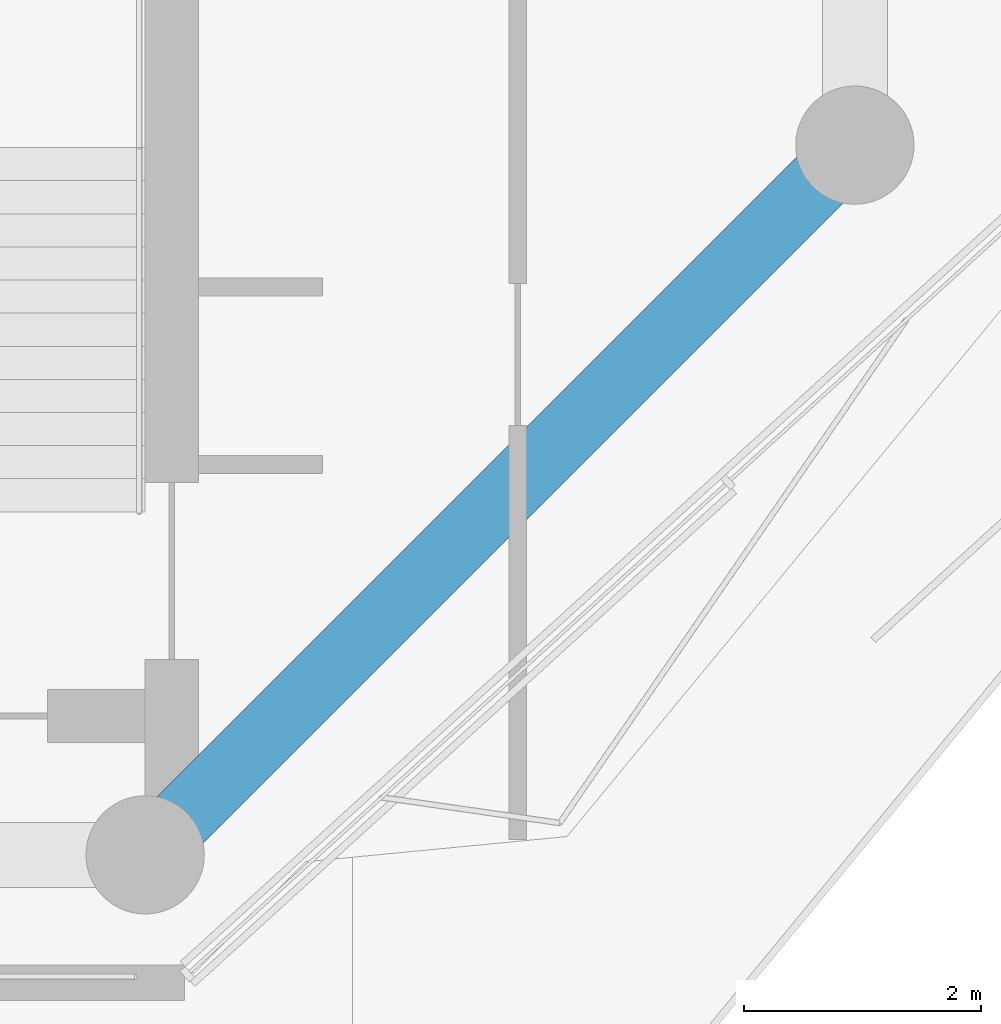
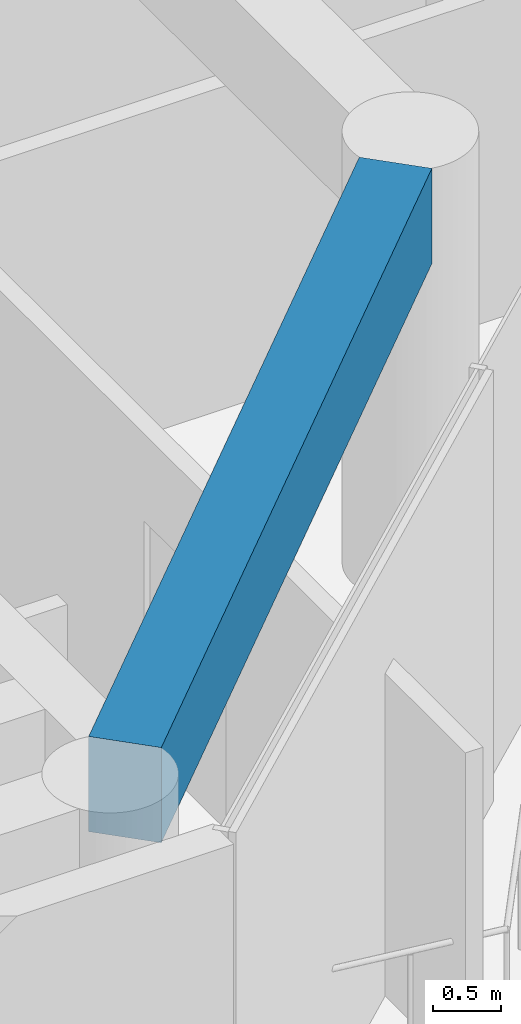
# One storey, part 3 of 23: 1 beam.
"""IFC4 building model written with IfcOpenShell, lengths in metres."""

import ifcopenshell
import ifcopenshell.guid

model = None  # the IFC model being written
_history = None  # IfcOwnerHistory: only IFC2X3 demands one
_inside = {}  # id of a spatial element -> (the spatial element, [elements in it])
_under = {}  # id of a project, library or spatial element -> (it, [spatial elements below it])
_declared = {}  # id of a project -> (the project, [libraries it declares])
_typed = {}  # id of a type object -> (the type object, [elements of that type])
_made_of = {}  # id of a material, layer set ... -> (it, [elements and type objects made of it])


def new_model(schema):
    """Start an empty IFC model of exactly this schema.

    Asked for "IFC4X3", IfcOpenShell would pick the latest addendum, in which some entities
    have other attributes; the version numbers below select the first issue.
    IFC2X3 requires an IfcOwnerHistory on every rooted entity: one is made here for all.
    """
    global model, _history
    if schema == "IFC4X3":
        model = ifcopenshell.file(schema_version=(4, 3, 0, 0))
    else:
        model = ifcopenshell.file(schema=schema)
    _inside.clear()
    _under.clear()
    _declared.clear()
    _typed.clear()
    _made_of.clear()
    _history = None
    if model.schema == "IFC2X3":
        org = make("IfcOrganization", Name="unknown")
        user = make(
            "IfcPersonAndOrganization",
            ThePerson=make("IfcPerson", FamilyName="unknown"),
            TheOrganization=org,
        )
        app = make(
            "IfcApplication",
            ApplicationDeveloper=org,
            Version="unknown",
            ApplicationFullName="unknown",
            ApplicationIdentifier="unknown",
        )
        _history = make(
            "IfcOwnerHistory",
            OwningUser=user,
            OwningApplication=app,
            ChangeAction="ADDED",
            CreationDate=0,
        )
    return model


def make(cls, **values):
    """One entity of the class cls with the attributes given. An attribute that is None is left unset."""
    return model.create_entity(
        cls, **{name: value for name, value in values.items() if value is not None}
    )


def rooted(cls, **values):
    """An entity with a GlobalId (a new one), such as an element, a storey or a relation."""
    return make(cls, GlobalId=ifcopenshell.guid.new(), OwnerHistory=_history, **values)


def si_unit(unit_type, name, prefix=None):
    """IfcSIUnit, for example si_unit("LENGTHUNIT", "METRE", prefix="MILLI")."""
    return make("IfcSIUnit", UnitType=unit_type, Prefix=prefix, Name=name)


def assignment(units):
    """IfcUnitAssignment: the units of a project."""
    return None if units is None else make("IfcUnitAssignment", Units=units)


def point(xyz):
    """IfcCartesianPoint."""
    return None if xyz is None else make("IfcCartesianPoint", Coordinates=xyz)


def direction(xyz):
    """IfcDirection."""
    return None if xyz is None else make("IfcDirection", DirectionRatios=xyz)


def frame(location, z_axis=None, x_axis=None):
    """IfcAxis2Placement3D, a coordinate frame: its origin and axes. An axis left out is left unset."""
    return make(
        "IfcAxis2Placement3D",
        Location=point(location),
        Axis=direction(z_axis),
        RefDirection=direction(x_axis),
    )


def frame_2d(location, x_axis=None):
    """IfcAxis2Placement2D, a coordinate frame in the plane: its origin and x axis."""
    return make(
        "IfcAxis2Placement2D", Location=point(location), RefDirection=direction(x_axis)
    )


def origin():
    """The frame at (0, 0, 0) with its axes left unset."""
    return frame((0.0, 0.0, 0.0))


def origin_2d():
    """The frame at (0, 0) in the plane with its x axis left unset."""
    return frame_2d((0.0, 0.0))


def place(relative_to, where):
    """IfcLocalPlacement: puts the frame where relative to a parent placement (None: the world)."""
    return make(
        "IfcLocalPlacement", PlacementRelTo=relative_to, RelativePlacement=where
    )


def context(
    kind, dimensions, precision=None, world=None, true_north=None, identifier=None
):
    """IfcGeometricRepresentationContext, for example the 3D "Model" context."""
    return make(
        "IfcGeometricRepresentationContext",
        ContextIdentifier=identifier,
        ContextType=kind,
        CoordinateSpaceDimension=dimensions,
        Precision=precision,
        WorldCoordinateSystem=world,
        TrueNorth=true_north,
    )


def subcontext(parent, identifier, kind, view, scale=None):
    """IfcGeometricRepresentationSubContext, for example "Body" below "Model"."""
    return make(
        "IfcGeometricRepresentationSubContext",
        ContextIdentifier=identifier,
        ContextType=kind,
        ParentContext=parent,
        TargetScale=scale,
        TargetView=view,
    )


def project(units=None, contexts=None):
    """IfcProject with its units and contexts."""
    return rooted(
        "IfcProject",
        Name="project",
        RepresentationContexts=contexts,
        UnitsInContext=assignment(units),
    )


def spatial(cls, under=None, at=None, **own):
    """A site, building, storey or space (cls), placed at a placement, below another one or the project."""
    s = rooted(cls, ObjectPlacement=at, **own)
    if under is not None:
        _under.setdefault(under.id(), (under, []))[1].append(s)
    return s


def profile(cls, at=None, kind="AREA", **sizes):
    """A parametric profile (cls). Its sizes go by their IFC names, for example OverallWidth=200.0."""
    return make(cls, ProfileType=kind, Position=at, **sizes)


def rectangle(**sizes):
    """IfcRectangleProfileDef."""
    return profile("IfcRectangleProfileDef", **sizes)


def extrude(swept, where, along, depth):
    """IfcExtrudedAreaSolid: the profile swept, set in the frame where, extruded along a direction by depth."""
    return make(
        "IfcExtrudedAreaSolid",
        SweptArea=swept,
        Position=where,
        ExtrudedDirection=direction(along),
        Depth=depth,
    )


def shape(context_of_items, identifier, shape_type, items):
    """IfcShapeRepresentation: the items that make up one representation, for example the "Body"."""
    return make(
        "IfcShapeRepresentation",
        ContextOfItems=context_of_items,
        RepresentationIdentifier=identifier,
        RepresentationType=shape_type,
        Items=items,
    )


def material(Name=None, Category=None):
    """IfcMaterial."""
    return make("IfcMaterial", Name=Name, Category=Category)


def material_profile(
    of_material, cross_section, Name=None, Category=None, Priority=None
):
    """IfcMaterialProfile: a cross section and its material."""
    return make(
        "IfcMaterialProfile",
        Name=Name,
        Material=of_material,
        Profile=cross_section,
        Priority=Priority,
        Category=Category,
    )


def profile_set(profiles, Name=None, composite=None):
    """IfcMaterialProfileSet."""
    return make(
        "IfcMaterialProfileSet",
        Name=Name,
        MaterialProfiles=profiles,
        CompositeProfile=composite,
    )


def made_of(thing, what):
    """Note that an element or type object is made of a material, layer set ...; save() writes the relation."""
    if what is not None:
        _made_of.setdefault(what.id(), (what, []))[1].append(thing)
    return thing


def type_object(cls, material=None, **own):
    """A type object (cls), such as IfcWallType, which elements share."""
    return made_of(rooted(cls, **own), material)


def element(
    cls,
    number,
    at=None,
    inside=None,
    cuts=None,
    type_object=None,
    material=None,
    context=None,
    identifier="Body",
    shape_type=None,
    held_by="IfcProductDefinitionShape",
    body=None,
    shapes=None,
    **own,
):
    """One element of the class cls, such as IfcWall. Its Tag is "e" and its number.

    at: its placement. inside: the storey or other place that contains it. cuts: it is an
    opening in that element (IfcRelVoidsElement). A single representation is given by context,
    identifier, shape_type and body (its items); several are given by shapes. held_by: the class
    of the entity that holds the representations. save() writes the other relations.
    """
    e = rooted(cls, Tag="e%d" % number, ObjectPlacement=at, **own)
    if body is not None:
        shapes = [shape(context, identifier, shape_type, body)]
    if shapes is not None:
        e.Representation = make(held_by, Representations=shapes)
    if inside is not None:
        _inside.setdefault(inside.id(), (inside, []))[1].append(e)
    if cuts is not None:
        rooted(
            "IfcRelVoidsElement", RelatingBuildingElement=cuts, RelatedOpeningElement=e
        )
    if type_object is not None:
        _typed.setdefault(type_object.id(), (type_object, []))[1].append(e)
    return made_of(e, material)


def aggregate(whole, parts):
    """IfcRelAggregates: a whole, such as a stair, and the parts it consists of."""
    return rooted("IfcRelAggregates", RelatingObject=whole, RelatedObjects=parts)


def save(model, path):
    """Write the relations noted so far, then the file.

    IfcRelAggregates (storeys below a building ...), IfcRelContainedInSpatialStructure (elements
    in a storey), IfcRelDefinesByType, IfcRelAssociatesMaterial and IfcRelDeclares: one each for
    every whole, place, type object, material and project.
    """
    for whole, parts in _under.values():
        aggregate(whole, parts)
    for where, things in _inside.values():
        rooted(
            "IfcRelContainedInSpatialStructure",
            RelatedElements=things,
            RelatingStructure=where,
        )
    for kind, things in _typed.values():
        rooted("IfcRelDefinesByType", RelatedObjects=things, RelatingType=kind)
    for what, things in _made_of.values():
        rooted("IfcRelAssociatesMaterial", RelatedObjects=things, RelatingMaterial=what)
    for by, libraries in _declared.values():
        rooted("IfcRelDeclares", RelatingContext=by, RelatedDefinitions=libraries)
    model.write(path)


model = new_model("IFC4")

# Units and contexts
model_context = context("Model", 3, precision=1e-05, world=origin(), true_north=direction((0.0, 1.0)))
body_context = subcontext(model_context, "Body", "Model", "MODEL_VIEW")
ifc_project = project(units=[si_unit("LENGTHUNIT", "METRE"), si_unit("AREAUNIT", "SQUARE_METRE"), si_unit("VOLUMEUNIT", "CUBIC_METRE"), si_unit("PLANEANGLEUNIT", "RADIAN"), si_unit("MASSUNIT", "GRAM", prefix="KILO")], contexts=[model_context])

# Site, building, storey
site_placement = place(None, origin())
site = spatial("IfcSite", under=ifc_project, at=site_placement, CompositionType="ELEMENT")
building_placement = place(site_placement, origin())
building = spatial("IfcBuilding", under=site, at=building_placement, Name="Welwitschia Terrace Campus", CompositionType="ELEMENT")
storey_placement = place(building_placement, frame((0.0, 0.0, 205.39990234375)))
storey = spatial("IfcBuildingStorey", under=building, at=storey_placement, Name="L45", CompositionType="ELEMENT", Elevation=205.39990234375)

# Beam
ifc_material = material(Name="Concrete C50/60", Category="concrete")
ifc_material_profile = material_profile(ifc_material, rectangle(XDim=0.550048828125, YDim=0.85009765625, at=origin_2d()))
ifc_profile_set = profile_set([ifc_material_profile], Name="Concrete C50/60")
beam_type = type_object("IfcBeamType", Name="Ring spandrel 550x850", PredefinedType="SPANDREL", material=ifc_profile_set)
beam_placement = place(storey_placement, frame((24.2958984375, 4.2958984375, 3.425048828125), z_axis=(0.707106781187, 0.707106781187, 0.0), x_axis=(-0.707106781187, 0.707106781187, 0.0)))
element("IfcBeam", 1, at=beam_placement, inside=storey, type_object=beam_type, Name="Spandrel SP3", PredefinedType="SPANDREL", context=body_context, shape_type="SweptSolid", body=[
    extrude(rectangle(XDim=0.550048828125, YDim=0.85009765625, at=origin_2d()), origin(), (0.0, 0.0, 1.0), 7.6484375),
])

save(model, "model.ifc")
